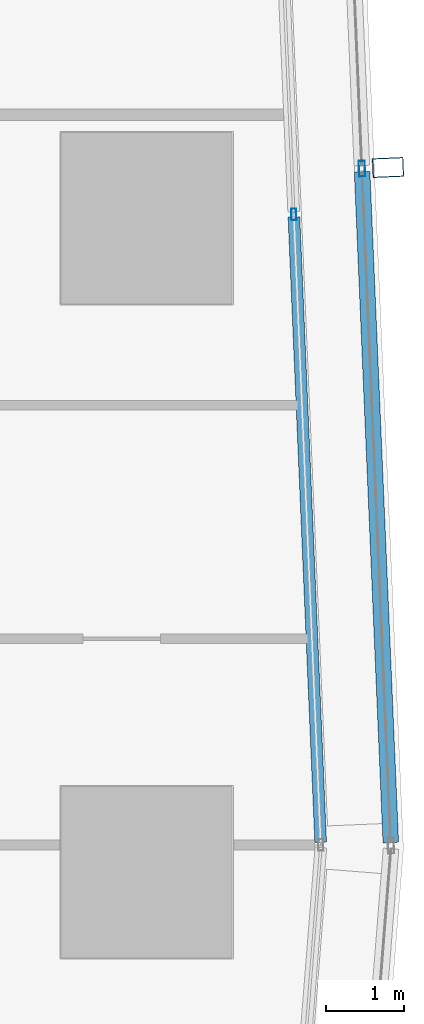
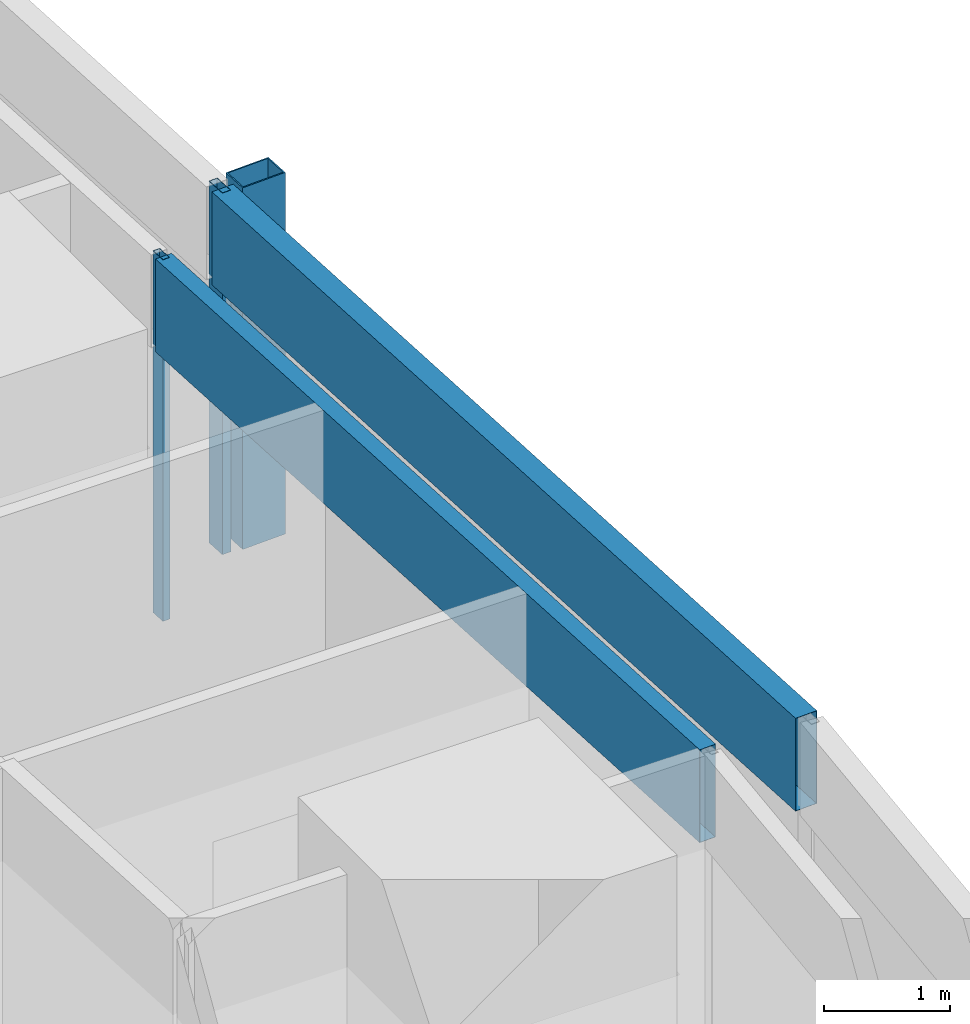
# One storey, part 25 of 42: 5 members, 2 elements without a shape of their own.
"""IFC4 building model written with IfcOpenShell, lengths in metres."""

from ifc_helpers import new_model, si_unit, direction, frame, origin, origin_2d, place, context, subcontext, project, spatial, hollow_rectangle, extrude, material, material_profile, profile_set, type_object, element, aggregate, save


model = new_model("IFC4")

# Units and contexts
model_context = context("Model", 3, precision=1e-05, world=origin(), true_north=direction((0.0, 1.0)))
body_context = subcontext(model_context, "Body", "Model", "MODEL_VIEW")
ifc_project = project(units=[si_unit("LENGTHUNIT", "METRE"), si_unit("AREAUNIT", "SQUARE_METRE"), si_unit("VOLUMEUNIT", "CUBIC_METRE"), si_unit("PLANEANGLEUNIT", "RADIAN"), si_unit("MASSUNIT", "GRAM", prefix="KILO")], contexts=[model_context])

# Site, building, storey
site_placement = place(None, origin())
site = spatial("IfcSite", under=ifc_project, at=site_placement, CompositionType="ELEMENT")
building_placement = place(site_placement, origin())
building = spatial("IfcBuilding", under=site, at=building_placement, Name="Rekha Terrace Tower", CompositionType="ELEMENT")
storey_placement = place(building_placement, frame((0.0, 0.0, 55.39990234375)))
storey = spatial("IfcBuildingStorey", under=building, at=storey_placement, Name="L13", CompositionType="ELEMENT", Elevation=55.39990234375)

# Curtain wall, member
ifc_material_1 = material(Name="Aluminium framing", Category="aluminium")
curtain_wall_type_1 = type_object("IfcCurtainWallType", Name="CW2 double skin outer glazing", PredefinedType="USERDEFINED", material=ifc_material_1)
curtain_wall_1_placement = place(storey_placement, origin())
curtain_wall_1 = element("IfcCurtainWall", 1, at=curtain_wall_1_placement, inside=storey, type_object=curtain_wall_type_1, Name="CW2 double skin outer glazing", ObjectType="DOUBLE SKIN OUTER GLAZING", PredefinedType="USERDEFINED")
ifc_material_2 = material(Name="Steel S355 with fluorocarbon finish", Category="steel")
ifc_material_profile_1 = material_profile(ifc_material_2, hollow_rectangle(XDim=0.25, YDim=0.39990234375, WallThickness=0.012451171875, at=origin_2d()), Name="RHS400x250x12.5")
ifc_profile_set_1 = profile_set([ifc_material_profile_1], Name="Steel S355 with fluorocarbon finish")
member_type_1 = type_object("IfcMemberType", Name="BL1 facade blade RHS 400 x 250", PredefinedType="USERDEFINED", material=ifc_profile_set_1)
member_1_placement = place(storey_placement, frame((70.301025390625, 34.2529296875, 0.0), z_axis=(0.0, 0.0, 1.0), x_axis=(-0.04269522475, 0.99908814315, 0.0)))
member_1 = element("IfcMember", 2, at=member_1_placement, type_object=member_type_1, Name="Facade blade", ObjectType="FACADE BLADE", PredefinedType="USERDEFINED", context=body_context, shape_type="SweptSolid", body=[
    extrude(hollow_rectangle(XDim=0.25, YDim=0.39990234375, WallThickness=0.012451171875, at=origin_2d()), origin(), (0.0, 0.0, 1.0), 3.5),
])

# Curtain wall, members
curtain_wall_type_2 = type_object("IfcCurtainWallType", Name="CW1 double skin inner glazing", PredefinedType="USERDEFINED", material=ifc_material_1)
curtain_wall_2_placement = place(storey_placement, origin())
curtain_wall_2 = element("IfcCurtainWall", 3, at=curtain_wall_2_placement, inside=storey, type_object=curtain_wall_type_2, Name="CW1 double skin inner glazing", ObjectType="DOUBLE SKIN INNER GLAZING", PredefinedType="USERDEFINED")
ifc_material_3 = material(Name="Aluminium mullion section", Category="aluminium")
ifc_material_profile_2 = material_profile(ifc_material_3, hollow_rectangle(XDim=0.06494140625, YDim=0.14990234375, WallThickness=0.00390625, at=origin_2d()), Name="AL RHS 65x150")
ifc_profile_set_2 = profile_set([ifc_material_profile_2], Name="Aluminium mullion section")
member_type_2 = type_object("IfcMemberType", Name="CW1 mullion RHS 65 x 150", PredefinedType="MULLION", material=ifc_profile_set_2)
member_2_placement = place(storey_placement, frame((69.0908203125, 33.650390625, 0.0), z_axis=(0.0, 0.0, 1.0), x_axis=(-0.999088106904, -0.042696072921, 0.0)))
member_2 = element("IfcMember", 4, at=member_2_placement, type_object=member_type_2, Name="CW1 mullion 2", PredefinedType="MULLION", context=body_context, shape_type="SweptSolid", body=[
    extrude(hollow_rectangle(XDim=0.06494140625, YDim=0.14990234375, WallThickness=0.00390625, at=origin_2d()), origin(), (0.0, 0.0, 1.0), 3.5),
])
ifc_material_4 = material(Name="Insulated aluminium spandrel box", Category="aluminium")
ifc_material_profile_3 = material_profile(ifc_material_4, hollow_rectangle(XDim=0.14990234375, YDim=0.89990234375, WallThickness=0.0029296875, at=origin_2d()), Name="AL SPANDREL BOX 150x900")
ifc_profile_set_3 = profile_set([ifc_material_profile_3], Name="Insulated aluminium spandrel box")
member_type_3 = type_object("IfcMemberType", Name="CW1 spandrel transom 150 x 900", PredefinedType="USERDEFINED", material=ifc_profile_set_3)
member_3_placement = place(storey_placement, frame((69.435546875, 25.584228515625, 3.050048828125), z_axis=(-0.042719126599, 0.999087121438, 0.0), x_axis=(-0.999087121438, -0.042719126599, 0.0)))
member_3 = element("IfcMember", 5, at=member_3_placement, type_object=member_type_3, Name="CW1 spandrel transom 1", ObjectType="TRANSOM", PredefinedType="USERDEFINED", context=body_context, shape_type="SweptSolid", body=[
    extrude(hollow_rectangle(XDim=0.14990234375, YDim=0.89990234375, WallThickness=0.0029296875, at=origin_2d()), origin(), (0.0, 0.0, 1.0), 8.041015625),
])
aggregate(curtain_wall_2, [member_2, member_3])

# Member
ifc_material_profile_4 = material_profile(ifc_material_3, hollow_rectangle(XDim=0.080078125, YDim=0.199951171875, WallThickness=0.00390625, at=origin_2d()), Name="AL RHS 80x200")
ifc_profile_set_4 = profile_set([ifc_material_profile_4], Name="Aluminium mullion section")
member_type_4 = type_object("IfcMemberType", Name="CW2 mullion RHS 80 x 200", PredefinedType="MULLION", material=ifc_profile_set_4)
member_4_placement = place(storey_placement, frame((69.96630859375, 34.23876953125, 0.0), z_axis=(0.0, 0.0, 1.0), x_axis=(-0.999088106903, -0.042696072956, 0.0)))
member_4 = element("IfcMember", 6, at=member_4_placement, type_object=member_type_4, Name="CW2 mullion 2", PredefinedType="MULLION", context=body_context, shape_type="SweptSolid", body=[
    extrude(hollow_rectangle(XDim=0.080078125, YDim=0.199951171875, WallThickness=0.00390625, at=origin_2d()), origin(), (0.0, 0.0, 1.0), 3.5),
])

ifc_material_profile_5 = material_profile(ifc_material_4, hollow_rectangle(XDim=0.199951171875, YDim=0.89990234375, WallThickness=0.0029296875, at=origin_2d()), Name="AL SPANDREL BOX 200x900")
ifc_profile_set_5 = profile_set([ifc_material_profile_5], Name="Insulated aluminium spandrel box")
member_type_5 = type_object("IfcMemberType", Name="CW2 spandrel transom 200 x 900", PredefinedType="USERDEFINED", material=ifc_profile_set_5)
member_5_placement = place(storey_placement, frame((70.33642578125, 25.582763671875, 3.050048828125), z_axis=(-0.042719742329, 0.99908709511, 0.0), x_axis=(-0.99908709511, -0.042719742329, 0.0)))
member_5 = element("IfcMember", 7, at=member_5_placement, type_object=member_type_5, Name="CW2 spandrel transom 1", ObjectType="TRANSOM", PredefinedType="USERDEFINED", context=body_context, shape_type="SweptSolid", body=[
    extrude(hollow_rectangle(XDim=0.199951171875, YDim=0.89990234375, WallThickness=0.0029296875, at=origin_2d()), origin(), (0.0, 0.0, 1.0), 8.623779296875),
])

aggregate(curtain_wall_1, [member_4, member_5, member_1])

save(model, "model.ifc")
